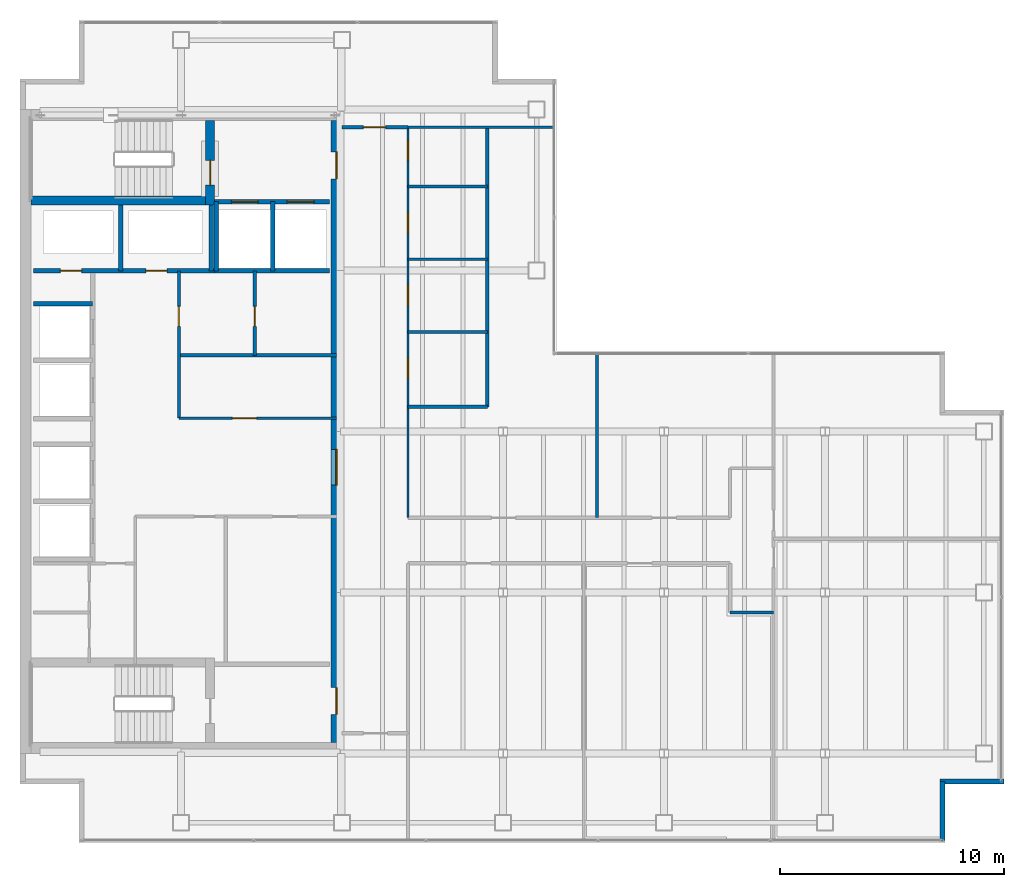
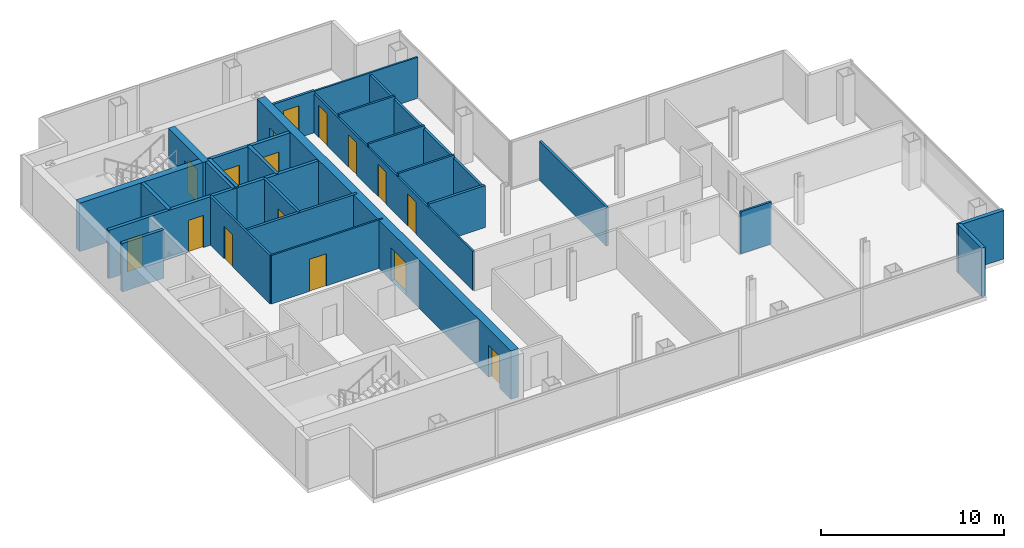
# One storey, part 21 of 23: 27 walls, 16 doors, 16 openings.
"""IFC4 building model written with IfcOpenShell, lengths in metres."""

from ifc_helpers import new_model, si_unit, direction, frame, frame_2d, origin, place, context, subcontext, project, spatial, rectangle, extrude, material, layer, layer_set, type_object, element, fill, save


model = new_model("IFC4")

# Units and contexts
model_context = context("Model", 3, precision=1e-05, world=origin(), true_north=direction((0.0, 1.0)))
body_context = subcontext(model_context, "Body", "Model", "MODEL_VIEW")
ifc_project = project(units=[si_unit("LENGTHUNIT", "METRE"), si_unit("AREAUNIT", "SQUARE_METRE"), si_unit("VOLUMEUNIT", "CUBIC_METRE"), si_unit("PLANEANGLEUNIT", "RADIAN"), si_unit("MASSUNIT", "GRAM", prefix="KILO")], contexts=[model_context])

# Site, building, storey
site_placement = place(None, origin())
site = spatial("IfcSite", under=ifc_project, at=site_placement, CompositionType="ELEMENT")
building_placement = place(site_placement, origin())
building = spatial("IfcBuilding", under=site, at=building_placement, Name="Cobrela Telecom Tower", CompositionType="ELEMENT")
storey_placement = place(building_placement, frame((0.0, 0.0, 208.25)))
storey = spatial("IfcBuildingStorey", under=building, at=storey_placement, Name="L53", CompositionType="ELEMENT", Elevation=208.25)

# Wall, openings, doors
ifc_material_1 = material(Name="Concrete C40/50", Category="concrete")
ifc_layer_1 = layer(ifc_material_1, 0.5)
ifc_layer_set_1 = layer_set([ifc_layer_1], Name="Concrete C40/50")
wall_type_1 = type_object("IfcWallType", Name="WALL-CORE-C40-500", PredefinedType="SHEAR", material=ifc_layer_set_1)
wall_1_placement = place(storey_placement, frame((14.14990234375, 35.5, 0.0), z_axis=(0.0, 0.0, 1.0), x_axis=(0.0, -1.0, 0.0)))
wall_1 = element("IfcWall", 1, at=wall_1_placement, inside=storey, type_object=wall_type_1, Name="L53 East Core Shear Wall", PredefinedType="SHEAR", context=body_context, shape_type="SweptSolid", body=[
    extrude(rectangle(XDim=27.800048828125, YDim=0.5, at=frame_2d((13.89990234375, 0.0))), origin(), (0.0, 0.0, 1.0), 3.239990234375),
])
opening_1_placement = place(wall_1_placement, frame((1.39990234375, 0.0, 0.0)))
opening_1 = element("IfcOpeningElement", 2, at=opening_1_placement, cuts=wall_1, Name="Opening DR-19", PredefinedType="OPENING", context=body_context, shape_type="SweptSolid", body=[
    extrude(rectangle(XDim=1.199951171875, YDim=2.14990234375, at=frame_2d((0.60009765625, 1.074951171875))), frame((0.0, 0.261962890625, 0.0), z_axis=(0.0, -1.0, 0.0), x_axis=(1.0, 0.0, 0.0)), (0.0, 0.0, 1.0), 0.52392578125),
])
opening_2_placement = place(wall_1_placement, frame((25.35009765625, 0.0, 0.0)))
opening_2 = element("IfcOpeningElement", 3, at=opening_2_placement, cuts=wall_1, Name="Opening DR-19", PredefinedType="OPENING", context=body_context, shape_type="SweptSolid", body=[
    extrude(rectangle(XDim=1.199951171875, YDim=2.14990234375, at=frame_2d((0.60009765625, 1.074951171875))), frame((0.0, 0.261962890625, 0.0), z_axis=(0.0, -1.0, 0.0), x_axis=(1.0, 0.0, 0.0)), (0.0, 0.0, 1.0), 0.52392578125),
])
opening_3_placement = place(wall_1_placement, frame((14.699951171875, 0.0, 0.0)))
opening_3 = element("IfcOpeningElement", 4, at=opening_3_placement, cuts=wall_1, Name="Opening DR-51", PredefinedType="OPENING", context=body_context, shape_type="SweptSolid", body=[
    extrude(rectangle(XDim=1.60009765625, YDim=2.199951171875, at=frame_2d((0.800048828125, 1.10009765625))), frame((0.0, 0.261962890625, 0.0), z_axis=(0.0, -1.0, 0.0), x_axis=(1.0, 0.0, 0.0)), (0.0, 0.0, 1.0), 0.52392578125),
])
ifc_material_2 = material(Name="Steel ASTM A36", Category="steel")
door_type_1 = type_object("IfcDoorType", Name="DOOR-FD60-1200", OperationType="SINGLE_SWING_LEFT", PredefinedType="DOOR", material=ifc_material_2)
door_1_placement = place(opening_1_placement, origin())
door_1 = element("IfcDoor", 5, at=door_1_placement, inside=storey, type_object=door_type_1, Name="L53 Door DR-19", OperationType="SINGLE_SWING_LEFT", OverallHeight=2.14990234375, OverallWidth=1.199951171875, PredefinedType="DOOR", context=body_context, shape_type="SweptSolid", body=[
    extrude(rectangle(XDim=1.199951171875, YDim=2.14990234375, at=frame_2d((0.60009765625, 1.074951171875))), frame((0.0, 0.02490234375, 0.0), z_axis=(0.0, -1.0, 0.0), x_axis=(1.0, 0.0, 0.0)), (0.0, 0.0, 1.0), 0.050048828125),
])
fill(opening_1, door_1)
door_2_placement = place(opening_2_placement, origin())
door_2 = element("IfcDoor", 6, at=door_2_placement, inside=storey, type_object=door_type_1, Name="L53 Door DR-19", OperationType="SINGLE_SWING_RIGHT", OverallHeight=2.14990234375, OverallWidth=1.199951171875, PredefinedType="DOOR", context=body_context, shape_type="SweptSolid", body=[
    extrude(rectangle(XDim=1.199951171875, YDim=2.14990234375, at=frame_2d((0.60009765625, 1.074951171875))), frame((0.0, 0.02490234375, 0.0), z_axis=(0.0, -1.0, 0.0), x_axis=(1.0, 0.0, 0.0)), (0.0, 0.0, 1.0), 0.050048828125),
])
fill(opening_2, door_2)
door_type_2 = type_object("IfcDoorType", Name="DOOR-FD60-1600", OperationType="SINGLE_SWING_LEFT", PredefinedType="DOOR", material=ifc_material_2)
door_3_placement = place(opening_3_placement, origin())
door_3 = element("IfcDoor", 7, at=door_3_placement, inside=storey, type_object=door_type_2, Name="L53 Door DR-51", OperationType="DOUBLE_DOOR_SINGLE_SWING", OverallHeight=2.199951171875, OverallWidth=1.60009765625, PredefinedType="DOOR", context=body_context, shape_type="SweptSolid", body=[
    extrude(rectangle(XDim=1.60009765625, YDim=2.199951171875, at=frame_2d((0.800048828125, 1.10009765625))), frame((0.0, 0.02490234375, 0.0), z_axis=(0.0, -1.0, 0.0), x_axis=(1.0, 0.0, 0.0)), (0.0, 0.0, 1.0), 0.050048828125),
])
fill(opening_3, door_3)

# Walls
ifc_layer_2 = layer(ifc_material_1, 0.239990234375)
ifc_layer_set_2 = layer_set([ifc_layer_2], Name="Concrete C40/50")
wall_type_2 = type_object("IfcWallType", Name="WALL-EXT-300", PredefinedType="STANDARD", material=ifc_layer_set_2)
wall_2_placement = place(storey_placement, frame((44.0, 5.949951171875, 0.0), z_axis=(0.0, 0.0, 1.0), x_axis=(-1.0, 0.0, 0.0)))
element("IfcWall", 8, at=wall_2_placement, inside=storey, type_object=wall_type_2, Name="L53 Insulated Facade Wall 15", PredefinedType="STANDARD", context=body_context, shape_type="SweptSolid", body=[
    extrude(rectangle(XDim=2.8701171875, YDim=0.239990234375, at=frame_2d((1.43505859375, 0.0))), origin(), (0.0, 0.0, 1.0), 3.239990234375),
])
wall_3_placement = place(storey_placement, frame((41.25, 5.949951171875, 0.0), z_axis=(0.0, 0.0, 1.0), x_axis=(0.0, -1.0, 0.0)))
element("IfcWall", 9, at=wall_3_placement, inside=storey, type_object=wall_type_2, Name="L53 Insulated Facade Wall 16", PredefinedType="STANDARD", context=body_context, shape_type="SweptSolid", body=[
    extrude(rectangle(XDim=2.6298828125, YDim=0.239990234375, at=frame_2d((1.31494140625, 0.0))), origin(), (0.0, 0.0, 1.0), 3.239990234375),
])

# Wall, opening, door
ifc_material_3 = material(Name="Fire-Rated Gypsum Plasterboard")
ifc_layer_3 = layer(ifc_material_3, 0.110107421875)
ifc_layer_set_3 = layer_set([ifc_layer_3], Name="Fire-Rated Gypsum Plasterboard")
wall_type_3 = type_object("IfcWallType", Name="WALL-PART-110", PredefinedType="PARTITIONING", material=ifc_layer_set_3)
wall_4_placement = place(storey_placement, frame((7.10009765625, 22.199951171875, 0.0), z_axis=(0.0, 0.0, 1.0), x_axis=(1.0, 0.0, 0.0)))
wall_4 = element("IfcWall", 10, at=wall_4_placement, inside=storey, type_object=wall_type_3, Name="L53 Interior Partition CW-RECL-S", PredefinedType="PARTITIONING", context=body_context, shape_type="SweptSolid", body=[
    extrude(rectangle(XDim=7.0498046875, YDim=0.110107421875, at=frame_2d((3.52490234375, 0.0))), origin(), (0.0, 0.0, 1.0), 3.239990234375),
])
opening_4_placement = place(wall_4_placement, frame((2.39990234375, 0.0, 0.0)))
opening_4 = element("IfcOpeningElement", 11, at=opening_4_placement, cuts=wall_4, Name="Opening DR-63", PredefinedType="OPENING", context=body_context, shape_type="SweptSolid", body=[
    extrude(rectangle(XDim=1.080078125, YDim=2.14990234375, at=frame_2d((0.5400390625, 1.074951171875))), frame((0.0, 0.06689453125, 0.0), z_axis=(0.0, -1.0, 0.0), x_axis=(1.0, 0.0, 0.0)), (0.0, 0.0, 1.0), 0.134033203125),
])
ifc_material_4 = material(Name="Solid Engineered Oak Timber", Category="wood")
door_type_3 = type_object("IfcDoorType", Name="DOOR-INT-1080", OperationType="SINGLE_SWING_LEFT", PredefinedType="DOOR", material=ifc_material_4)
door_4_placement = place(opening_4_placement, origin())
door_4 = element("IfcDoor", 12, at=door_4_placement, inside=storey, type_object=door_type_3, Name="L53 Door DR-63", OperationType="SINGLE_SWING_LEFT", OverallHeight=2.14990234375, OverallWidth=1.080078125, PredefinedType="DOOR", context=body_context, shape_type="SweptSolid", body=[
    extrude(rectangle(XDim=1.080078125, YDim=2.14990234375, at=frame_2d((0.5400390625, 1.074951171875))), frame((0.0, 0.02490234375, 0.0), z_axis=(0.0, -1.0, 0.0), x_axis=(1.0, 0.0, 0.0)), (0.0, 0.0, 1.0), 0.050048828125),
])
fill(opening_4, door_4)

# Wall, openings, doors
wall_5_placement = place(storey_placement, frame((17.35009765625, 17.75, 0.0), z_axis=(0.0, 0.0, 1.0), x_axis=(0.0, 1.0, 0.0)))
wall_5 = element("IfcWall", 13, at=wall_5_placement, inside=storey, type_object=wall_type_3, Name="L53 Interior Partition W-C-E2", PredefinedType="PARTITIONING", context=body_context, shape_type="SweptSolid", body=[
    extrude(rectangle(XDim=17.449951171875, YDim=0.110107421875, at=frame_2d((8.72509765625, 0.0))), origin(), (0.0, 0.0, 1.0), 2.613037109375),
])
opening_5_placement = place(wall_5_placement, frame((6.22998046875, 0.0, 0.0)))
opening_5 = element("IfcOpeningElement", 14, at=opening_5_placement, cuts=wall_5, Name="Opening DR-41", PredefinedType="OPENING", context=body_context, shape_type="SweptSolid", body=[
    extrude(rectangle(XDim=0.89990234375, YDim=2.14990234375, at=frame_2d((0.449951171875, 1.074951171875))), frame((0.0, 0.06689453125, 0.0), z_axis=(0.0, -1.0, 0.0), x_axis=(1.0, 0.0, 0.0)), (0.0, 0.0, 1.0), 0.134033203125),
])
opening_6_placement = place(wall_5_placement, frame((9.47998046875, 0.0, 0.0)))
opening_6 = element("IfcOpeningElement", 15, at=opening_6_placement, cuts=wall_5, Name="Opening DR-41", PredefinedType="OPENING", context=body_context, shape_type="SweptSolid", body=[
    extrude(rectangle(XDim=0.89990234375, YDim=2.14990234375, at=frame_2d((0.449951171875, 1.074951171875))), frame((0.0, 0.06689453125, 0.0), z_axis=(0.0, -1.0, 0.0), x_axis=(1.0, 0.0, 0.0)), (0.0, 0.0, 1.0), 0.134033203125),
])
opening_7_placement = place(wall_5_placement, frame((12.72998046875, 0.0, 0.0)))
opening_7 = element("IfcOpeningElement", 16, at=opening_7_placement, cuts=wall_5, Name="Opening DR-41", PredefinedType="OPENING", context=body_context, shape_type="SweptSolid", body=[
    extrude(rectangle(XDim=0.89990234375, YDim=2.14990234375, at=frame_2d((0.449951171875, 1.074951171875))), frame((0.0, 0.06689453125, 0.0), z_axis=(0.0, -1.0, 0.0), x_axis=(1.0, 0.0, 0.0)), (0.0, 0.0, 1.0), 0.134033203125),
])
opening_8_placement = place(wall_5_placement, frame((15.969970703125, 0.0, 0.0)))
opening_8 = element("IfcOpeningElement", 17, at=opening_8_placement, cuts=wall_5, Name="Opening DR-41", PredefinedType="OPENING", context=body_context, shape_type="SweptSolid", body=[
    extrude(rectangle(XDim=0.89990234375, YDim=2.14990234375, at=frame_2d((0.449951171875, 1.074951171875))), frame((0.0, 0.06689453125, 0.0), z_axis=(0.0, -1.0, 0.0), x_axis=(1.0, 0.0, 0.0)), (0.0, 0.0, 1.0), 0.134033203125),
])
door_type_4 = type_object("IfcDoorType", Name="DOOR-INT-900", OperationType="SINGLE_SWING_LEFT", PredefinedType="DOOR", material=ifc_material_4)
door_5_placement = place(opening_5_placement, origin())
door_5 = element("IfcDoor", 18, at=door_5_placement, inside=storey, type_object=door_type_4, Name="L53 Door DR-41", OperationType="SINGLE_SWING_LEFT", OverallHeight=2.14990234375, OverallWidth=0.89990234375, PredefinedType="DOOR", context=body_context, shape_type="SweptSolid", body=[
    extrude(rectangle(XDim=0.89990234375, YDim=2.14990234375, at=frame_2d((0.449951171875, 1.074951171875))), frame((0.0, 0.02490234375, 0.0), z_axis=(0.0, -1.0, 0.0), x_axis=(1.0, 0.0, 0.0)), (0.0, 0.0, 1.0), 0.050048828125),
])
fill(opening_5, door_5)
door_6_placement = place(opening_6_placement, origin())
door_6 = element("IfcDoor", 19, at=door_6_placement, inside=storey, type_object=door_type_4, Name="L53 Door DR-41", OperationType="SINGLE_SWING_RIGHT", OverallHeight=2.14990234375, OverallWidth=0.89990234375, PredefinedType="DOOR", context=body_context, shape_type="SweptSolid", body=[
    extrude(rectangle(XDim=0.89990234375, YDim=2.14990234375, at=frame_2d((0.449951171875, 1.074951171875))), frame((0.0, 0.02490234375, 0.0), z_axis=(0.0, -1.0, 0.0), x_axis=(1.0, 0.0, 0.0)), (0.0, 0.0, 1.0), 0.050048828125),
])
fill(opening_6, door_6)
door_7_placement = place(opening_7_placement, origin())
door_7 = element("IfcDoor", 20, at=door_7_placement, inside=storey, type_object=door_type_4, Name="L53 Door DR-41", OperationType="SINGLE_SWING_LEFT", OverallHeight=2.14990234375, OverallWidth=0.89990234375, PredefinedType="DOOR", context=body_context, shape_type="SweptSolid", body=[
    extrude(rectangle(XDim=0.89990234375, YDim=2.14990234375, at=frame_2d((0.449951171875, 1.074951171875))), frame((0.0, 0.02490234375, 0.0), z_axis=(0.0, -1.0, 0.0), x_axis=(1.0, 0.0, 0.0)), (0.0, 0.0, 1.0), 0.050048828125),
])
fill(opening_7, door_7)
door_8_placement = place(opening_8_placement, origin())
door_8 = element("IfcDoor", 21, at=door_8_placement, inside=storey, type_object=door_type_4, Name="L53 Door DR-41", OperationType="SINGLE_SWING_RIGHT", OverallHeight=2.14990234375, OverallWidth=0.89990234375, PredefinedType="DOOR", context=body_context, shape_type="SweptSolid", body=[
    extrude(rectangle(XDim=0.89990234375, YDim=2.14990234375, at=frame_2d((0.449951171875, 1.074951171875))), frame((0.0, 0.02490234375, 0.0), z_axis=(0.0, -1.0, 0.0), x_axis=(1.0, 0.0, 0.0)), (0.0, 0.0, 1.0), 0.050048828125),
])
fill(opening_8, door_8)

# Walls
wall_6_placement = place(storey_placement, frame((17.35009765625, 35.199951171875, 0.0), z_axis=(0.0, 0.0, 1.0), x_axis=(1.0, 0.0, 0.0)))
element("IfcWall", 22, at=wall_6_placement, inside=storey, type_object=wall_type_3, Name="L53 Interior Partition W-NW-S", PredefinedType="PARTITIONING", context=body_context, shape_type="SweptSolid", body=[
    extrude(rectangle(XDim=6.52978515625, YDim=0.110107421875, at=frame_2d((3.264892578125, 0.0))), origin(), (0.0, 0.0, 1.0), 2.758056640625),
])
ifc_layer_4 = layer(ifc_material_3, 0.125)
ifc_layer_set_4 = layer_set([ifc_layer_4], Name="Fire-Rated Gypsum Plasterboard")
wall_type_4 = type_object("IfcWallType", Name="WALL-PART-125", PredefinedType="PARTITIONING", material=ifc_layer_set_4)
for number, where, z_axis, x_axis, name in (
    (23, (17.35009765625, 26.050048828125, 0.0), (0.0, 0.0, 1.0), (1.0, 0.0, 0.0), "L53 Interior Partition W-WCD-1"),
    (24, (17.35009765625, 29.300048828125, 0.0), (0.0, 0.0, 1.0), (1.0, 0.0, 0.0), "L53 Interior Partition W-WCD-2"),
    (25, (17.35009765625, 32.550048828125, 0.0), (0.0, 0.0, 1.0), (1.0, 0.0, 0.0), "L53 Interior Partition W-WCD-3"),
):
    element("IfcWall", number, at=place(storey_placement, frame(where, z_axis=z_axis, x_axis=x_axis)), inside=storey, type_object=wall_type_4, Name=name, PredefinedType="PARTITIONING", context=body_context, shape_type="SweptSolid", body=[
        extrude(rectangle(XDim=3.5498046875, YDim=0.125, at=frame_2d((1.77490234375, 0.0))), origin(), (0.0, 0.0, 1.0), 2.80810546875),
    ])

# Wall, opening, door
ifc_layer_5 = layer(ifc_material_3, 0.135009765625)
ifc_layer_set_5 = layer_set([ifc_layer_5], Name="Fire-Rated Gypsum Plasterboard")
wall_type_5 = type_object("IfcWallType", Name="WALL-PART-135", PredefinedType="PARTITIONING", material=ifc_layer_set_5)
wall_7_placement = place(storey_placement, frame((7.10009765625, 22.199951171875, 0.0), z_axis=(0.0, 0.0, 1.0), x_axis=(0.0, 1.0, 0.0)))
wall_7 = element("IfcWall", 26, at=wall_7_placement, inside=storey, type_object=wall_type_5, Name="L53 Interior Partition CW-RECL-W", PredefinedType="PARTITIONING", context=body_context, shape_type="SweptSolid", body=[
    extrude(rectangle(XDim=6.580078125, YDim=0.135009765625, at=frame_2d((3.2900390625, 0.0))), origin(), (0.0, 0.0, 1.0), 3.239990234375),
])
opening_9_placement = place(wall_7_placement, frame((4.10009765625, 0.0, 0.0)))
opening_9 = element("IfcOpeningElement", 27, at=opening_9_placement, cuts=wall_7, Name="Opening DR-41", PredefinedType="OPENING", context=body_context, shape_type="SweptSolid", body=[
    extrude(rectangle(XDim=0.89990234375, YDim=2.14990234375, at=frame_2d((0.449951171875, 1.074951171875))), frame((0.0, 0.07958984375, 0.0), z_axis=(0.0, -1.0, 0.0), x_axis=(1.0, 0.0, 0.0)), (0.0, 0.0, 1.0), 0.158935546875),
])
door_9_placement = place(opening_9_placement, origin())
door_9 = element("IfcDoor", 28, at=door_9_placement, inside=storey, type_object=door_type_4, Name="L53 Door DR-41", OperationType="SINGLE_SWING_RIGHT", OverallHeight=2.14990234375, OverallWidth=0.89990234375, PredefinedType="DOOR", context=body_context, shape_type="SweptSolid", body=[
    extrude(rectangle(XDim=0.89990234375, YDim=2.14990234375, at=frame_2d((0.449951171875, 1.074951171875))), frame((0.0, 0.02490234375, 0.0), z_axis=(0.0, -1.0, 0.0), x_axis=(1.0, 0.0, 0.0)), (0.0, 0.0, 1.0), 0.050048828125),
])
fill(opening_9, door_9)

# Wall
wall_8_placement = place(storey_placement, frame((31.75, 13.5, 0.0), z_axis=(0.0, 0.0, 1.0), x_axis=(1.0, 0.0, 0.0)))
element("IfcWall", 29, at=wall_8_placement, inside=storey, type_object=wall_type_5, Name="L53 Interior Partition W-CT-S", PredefinedType="PARTITIONING", context=body_context, shape_type="SweptSolid", body=[
    extrude(rectangle(XDim=1.949951171875, YDim=0.135009765625, at=frame_2d((0.97509765625, 0.0))), origin(), (0.0, 0.0, 1.0), 2.80810546875),
])

# Wall, opening, door
ifc_layer_6 = layer(ifc_material_3, 0.14990234375)
ifc_layer_set_6 = layer_set([ifc_layer_6], Name="Fire-Rated Gypsum Plasterboard")
wall_type_6 = type_object("IfcWallType", Name="WALL-PART-150", PredefinedType="PARTITIONING", material=ifc_layer_set_6)
wall_9_placement = place(storey_placement, frame((10.5, 25.0, 0.0), z_axis=(0.0, 0.0, 1.0), x_axis=(0.0, 1.0, 0.0)))
wall_9 = element("IfcWall", 30, at=wall_9_placement, inside=storey, type_object=wall_type_6, Name="L53 Interior Partition CW-RECL-VN", PredefinedType="PARTITIONING", context=body_context, shape_type="SweptSolid", body=[
    extrude(rectangle(XDim=3.780029296875, YDim=0.14990234375, at=frame_2d((1.89013671875, 0.0))), origin(), (0.0, 0.0, 1.0), 3.239990234375),
])
opening_10_placement = place(wall_9_placement, frame((1.300048828125, 0.0, 0.0)))
opening_10 = element("IfcOpeningElement", 31, at=opening_10_placement, cuts=wall_9, Name="Opening DR-41", PredefinedType="OPENING", context=body_context, shape_type="SweptSolid", body=[
    extrude(rectangle(XDim=0.89990234375, YDim=2.14990234375, at=frame_2d((0.449951171875, 1.074951171875))), frame((0.0, 0.0869140625, 0.0), z_axis=(0.0, -1.0, 0.0), x_axis=(1.0, 0.0, 0.0)), (0.0, 0.0, 1.0), 0.173828125),
])
door_10_placement = place(opening_10_placement, origin())
door_10 = element("IfcDoor", 32, at=door_10_placement, inside=storey, type_object=door_type_4, Name="L53 Door DR-41", OperationType="SINGLE_SWING_LEFT", OverallHeight=2.14990234375, OverallWidth=0.89990234375, PredefinedType="DOOR", context=body_context, shape_type="SweptSolid", body=[
    extrude(rectangle(XDim=0.89990234375, YDim=2.14990234375, at=frame_2d((0.449951171875, 1.074951171875))), frame((0.0, 0.02490234375, 0.0), z_axis=(0.0, -1.0, 0.0), x_axis=(1.0, 0.0, 0.0)), (0.0, 0.0, 1.0), 0.050048828125),
])
fill(opening_10, door_10)

wall_10_placement = place(storey_placement, frame((14.39990234375, 35.199951171875, 0.0), z_axis=(0.0, 0.0, 1.0), x_axis=(1.0, 0.0, 0.0)))
wall_10 = element("IfcWall", 33, at=wall_10_placement, inside=storey, type_object=wall_type_6, Name="L53 Interior Partition W-C-N0", PredefinedType="PARTITIONING", context=body_context, shape_type="SweptSolid", body=[
    extrude(rectangle(XDim=2.9501953125, YDim=0.14990234375, at=frame_2d((1.47509765625, 0.0))), origin(), (0.0, 0.0, 1.0), 2.80810546875),
])
opening_11_placement = place(wall_10_placement, frame((0.949951171875, 0.0, 0.0)))
opening_11 = element("IfcOpeningElement", 34, at=opening_11_placement, cuts=wall_10, Name="Opening DR-31", PredefinedType="OPENING", context=body_context, shape_type="SweptSolid", body=[
    extrude(rectangle(XDim=1.0, YDim=2.14990234375, at=frame_2d((0.5, 1.074951171875))), frame((0.0, 0.0869140625, 0.0), z_axis=(0.0, -1.0, 0.0), x_axis=(1.0, 0.0, 0.0)), (0.0, 0.0, 1.0), 0.173828125),
])
door_type_5 = type_object("IfcDoorType", Name="DOOR-INT-1000", OperationType="SINGLE_SWING_LEFT", PredefinedType="DOOR", material=ifc_material_4)
door_11_placement = place(opening_11_placement, origin())
door_11 = element("IfcDoor", 35, at=door_11_placement, inside=storey, type_object=door_type_5, Name="L53 Door DR-31", OperationType="SINGLE_SWING_LEFT", OverallHeight=2.14990234375, OverallWidth=1.0, PredefinedType="DOOR", context=body_context, shape_type="SweptSolid", body=[
    extrude(rectangle(XDim=1.0, YDim=2.14990234375, at=frame_2d((0.5, 1.074951171875))), frame((0.0, 0.02490234375, 0.0), z_axis=(0.0, -1.0, 0.0), x_axis=(1.0, 0.0, 0.0)), (0.0, 0.0, 1.0), 0.050048828125),
])
fill(opening_11, door_11)

# Walls
wall_11_placement = place(storey_placement, frame((20.89990234375, 22.699951171875, 0.0), z_axis=(0.0, 0.0, 1.0), x_axis=(0.0, 1.0, 0.0)))
element("IfcWall", 36, at=wall_11_placement, inside=storey, type_object=wall_type_6, Name="L53 Interior Partition W-WC-E", PredefinedType="PARTITIONING", context=body_context, shape_type="SweptSolid", body=[
    extrude(rectangle(XDim=12.5, YDim=0.14990234375, at=frame_2d((6.25, 0.0))), origin(), (0.0, 0.0, 1.0), 2.613037109375),
])
wall_12_placement = place(storey_placement, frame((25.800048828125, 17.75, 0.0), z_axis=(0.0, 0.0, 1.0), x_axis=(0.0, 1.0, 0.0)))
element("IfcWall", 37, at=wall_12_placement, inside=storey, type_object=wall_type_6, Name="L53 Interior Partition W-NV-1", PredefinedType="PARTITIONING", context=body_context, shape_type="SweptSolid", body=[
    extrude(rectangle(XDim=7.300048828125, YDim=0.14990234375, at=frame_2d((3.64990234375, 0.0))), origin(), (0.0, 0.0, 1.0), 2.613037109375),
])
ifc_layer_7 = layer(ifc_material_3, 0.159912109375)
ifc_layer_set_7 = layer_set([ifc_layer_7], Name="Fire-Rated Gypsum Plasterboard")
wall_type_7 = type_object("IfcWallType", Name="WALL-PART-160", PredefinedType="PARTITIONING", material=ifc_layer_set_7)
wall_13_placement = place(storey_placement, frame((7.10009765625, 25.0, 0.0), z_axis=(0.0, 0.0, 1.0), x_axis=(1.0, 0.0, 0.0)))
element("IfcWall", 38, at=wall_13_placement, inside=storey, type_object=wall_type_7, Name="L53 Interior Partition CW-RECL-H", PredefinedType="PARTITIONING", context=body_context, shape_type="SweptSolid", body=[
    extrude(rectangle(XDim=7.0498046875, YDim=0.159912109375, at=frame_2d((3.52490234375, 0.0))), origin(), (0.0, 0.0, 1.0), 3.239990234375),
])
wall_14_placement = place(storey_placement, frame((17.35009765625, 22.699951171875, 0.0), z_axis=(0.0, 0.0, 1.0), x_axis=(1.0, 0.0, 0.0)))
element("IfcWall", 39, at=wall_14_placement, inside=storey, type_object=wall_type_7, Name="L53 Interior Partition W-WC-S", PredefinedType="PARTITIONING", context=body_context, shape_type="SweptSolid", body=[
    extrude(rectangle(XDim=3.5498046875, YDim=0.159912109375, at=frame_2d((1.77490234375, 0.0))), origin(), (0.0, 0.0, 1.0), 2.80810546875),
])

# Wall, openings, doors
ifc_layer_8 = layer(ifc_material_3, 0.199951171875)
ifc_layer_set_8 = layer_set([ifc_layer_8], Name="Fire-Rated Gypsum Plasterboard")
wall_type_8 = type_object("IfcWallType", Name="WALL-SHAFT-200", PredefinedType="PARTITIONING", material=ifc_layer_set_8)
wall_15_placement = place(storey_placement, frame((8.699951171875, 31.8798828125, 0.0), z_axis=(0.0, 0.0, 1.0), x_axis=(1.0, 0.0, 0.0)))
wall_15 = element("IfcWall", 40, at=wall_15_placement, inside=storey, type_object=wall_type_8, Name="L53 Shaft Enclosure CW-FFL-S", PredefinedType="PARTITIONING", context=body_context, shape_type="SweptSolid", body=[
    extrude(rectangle(XDim=5.150146484375, YDim=0.199951171875, at=frame_2d((2.5751953125, 0.0))), origin(), (0.0, 0.0, 1.0), 3.239990234375),
])
opening_12_placement = place(wall_15_placement, frame((0.75, 0.0, 0.0)))
opening_12 = element("IfcOpeningElement", 41, at=opening_12_placement, cuts=wall_15, Name="Opening LD-2", PredefinedType="OPENING", context=body_context, shape_type="SweptSolid", body=[
    extrude(rectangle(XDim=1.199951171875, YDim=2.199951171875, at=frame_2d((0.60009765625, 1.10009765625))), frame((0.0, 0.11181640625, 0.0), z_axis=(0.0, -1.0, 0.0), x_axis=(1.0, 0.0, 0.0)), (0.0, 0.0, 1.0), 0.223876953125),
])
opening_13_placement = place(wall_15_placement, frame((3.25, 0.0, 0.0)))
opening_13 = element("IfcOpeningElement", 42, at=opening_13_placement, cuts=wall_15, Name="Opening LD-2", PredefinedType="OPENING", context=body_context, shape_type="SweptSolid", body=[
    extrude(rectangle(XDim=1.199951171875, YDim=2.199951171875, at=frame_2d((0.60009765625, 1.10009765625))), frame((0.0, 0.11181640625, 0.0), z_axis=(0.0, -1.0, 0.0), x_axis=(1.0, 0.0, 0.0)), (0.0, 0.0, 1.0), 0.223876953125),
])
door_type_6 = type_object("IfcDoorType", Name="DOOR-LD-FFL", OperationType="SINGLE_SWING_LEFT", PredefinedType="DOOR", material=ifc_material_2)
door_12_placement = place(opening_12_placement, origin())
door_12 = element("IfcDoor", 43, at=door_12_placement, inside=storey, type_object=door_type_6, Name="L53 Lift Landing Door LD-2", OperationType="DOUBLE_DOOR_SLIDING", OverallHeight=2.199951171875, OverallWidth=1.199951171875, PredefinedType="DOOR", context=body_context, shape_type="SweptSolid", body=[
    extrude(rectangle(XDim=1.199951171875, YDim=2.199951171875, at=frame_2d((0.60009765625, 1.10009765625))), frame((0.0, 0.02490234375, 0.0), z_axis=(0.0, -1.0, 0.0), x_axis=(1.0, 0.0, 0.0)), (0.0, 0.0, 1.0), 0.050048828125),
])
fill(opening_12, door_12)
door_13_placement = place(opening_13_placement, origin())
door_13 = element("IfcDoor", 44, at=door_13_placement, inside=storey, type_object=door_type_6, Name="L53 Lift Landing Door LD-2", OperationType="DOUBLE_DOOR_SLIDING", OverallHeight=2.199951171875, OverallWidth=1.199951171875, PredefinedType="DOOR", context=body_context, shape_type="SweptSolid", body=[
    extrude(rectangle(XDim=1.199951171875, YDim=2.199951171875, at=frame_2d((0.60009765625, 1.10009765625))), frame((0.0, 0.02490234375, 0.0), z_axis=(0.0, -1.0, 0.0), x_axis=(1.0, 0.0, 0.0)), (0.0, 0.0, 1.0), 0.050048828125),
])
fill(opening_13, door_13)

# Walls
wall_16_placement = place(storey_placement, frame((8.699951171875, 28.780029296875, 0.0), z_axis=(0.0, 0.0, 1.0), x_axis=(1.0, 0.0, 0.0)))
element("IfcWall", 45, at=wall_16_placement, inside=storey, type_object=wall_type_8, Name="L53 Shaft Enclosure CW-FFL-S2", PredefinedType="PARTITIONING", context=body_context, shape_type="SweptSolid", body=[
    extrude(rectangle(XDim=5.150146484375, YDim=0.199951171875, at=frame_2d((2.5751953125, 0.0))), origin(), (0.0, 0.0, 1.0), 3.239990234375),
])
for number, where, z_axis, x_axis, name in (
    (46, (8.780029296875, 28.780029296875, 0.0), (0.0, 0.0, 1.0), (0.0, 1.0, 0.0), "L53 Shaft Enclosure CW-FFL-W"),
    (47, (11.300048828125, 28.780029296875, 0.0), (0.0, 0.0, 1.0), (0.0, 1.0, 0.0), "L53 Shaft Enclosure CW-FFL-M"),
):
    element("IfcWall", number, at=place(storey_placement, frame(where, z_axis=z_axis, x_axis=x_axis)), inside=storey, type_object=wall_type_8, Name=name, PredefinedType="PARTITIONING", context=body_context, shape_type="SweptSolid", body=[
        extrude(rectangle(XDim=3.099853515625, YDim=0.199951171875, at=frame_2d((1.5498046875, 0.0))), origin(), (0.0, 0.0, 1.0), 3.239990234375),
    ])

# Wall, openings, doors
wall_17_placement = place(storey_placement, frame((0.60009765625, 28.780029296875, 0.0), z_axis=(0.0, 0.0, 1.0), x_axis=(1.0, 0.0, 0.0)))
wall_17 = element("IfcWall", 48, at=wall_17_placement, inside=storey, type_object=wall_type_8, Name="L53 Shaft Enclosure CW-RIS-S", PredefinedType="PARTITIONING", context=body_context, shape_type="SweptSolid", body=[
    extrude(rectangle(XDim=8.179931640625, YDim=0.199951171875, at=frame_2d((4.08984375, 0.0))), origin(), (0.0, 0.0, 1.0), 3.239990234375),
])
opening_14_placement = place(wall_17_placement, frame((1.2099609375, 0.0, 0.0)))
opening_14 = element("IfcOpeningElement", 49, at=opening_14_placement, cuts=wall_17, Name="Opening DR-65", PredefinedType="OPENING", context=body_context, shape_type="SweptSolid", body=[
    extrude(rectangle(XDim=0.949951171875, YDim=2.14990234375, at=frame_2d((0.47509765625, 1.074951171875))), frame((0.0, 0.11181640625, 0.0), z_axis=(0.0, -1.0, 0.0), x_axis=(1.0, 0.0, 0.0)), (0.0, 0.0, 1.0), 0.223876953125),
])
opening_15_placement = place(wall_17_placement, frame((5.030029296875, 0.0, 0.0)))
opening_15 = element("IfcOpeningElement", 50, at=opening_15_placement, cuts=wall_17, Name="Opening DR-65", PredefinedType="OPENING", context=body_context, shape_type="SweptSolid", body=[
    extrude(rectangle(XDim=0.949951171875, YDim=2.14990234375, at=frame_2d((0.47509765625, 1.074951171875))), frame((0.0, 0.11181640625, 0.0), z_axis=(0.0, -1.0, 0.0), x_axis=(1.0, 0.0, 0.0)), (0.0, 0.0, 1.0), 0.223876953125),
])
door_type_7 = type_object("IfcDoorType", Name="DOOR-FD60-950", OperationType="SINGLE_SWING_LEFT", PredefinedType="DOOR", material=ifc_material_2)
door_14_placement = place(opening_14_placement, origin())
door_14 = element("IfcDoor", 51, at=door_14_placement, inside=storey, type_object=door_type_7, Name="L53 Door DR-65", OperationType="SINGLE_SWING_LEFT", OverallHeight=2.14990234375, OverallWidth=0.949951171875, PredefinedType="DOOR", context=body_context, shape_type="SweptSolid", body=[
    extrude(rectangle(XDim=0.949951171875, YDim=2.14990234375, at=frame_2d((0.47509765625, 1.074951171875))), frame((0.0, 0.02490234375, 0.0), z_axis=(0.0, -1.0, 0.0), x_axis=(1.0, 0.0, 0.0)), (0.0, 0.0, 1.0), 0.050048828125),
])
fill(opening_14, door_14)
door_15_placement = place(opening_15_placement, origin())
door_15 = element("IfcDoor", 52, at=door_15_placement, inside=storey, type_object=door_type_7, Name="L53 Door DR-65", OperationType="SINGLE_SWING_RIGHT", OverallHeight=2.14990234375, OverallWidth=0.949951171875, PredefinedType="DOOR", context=body_context, shape_type="SweptSolid", body=[
    extrude(rectangle(XDim=0.949951171875, YDim=2.14990234375, at=frame_2d((0.47509765625, 1.074951171875))), frame((0.0, 0.02490234375, 0.0), z_axis=(0.0, -1.0, 0.0), x_axis=(1.0, 0.0, 0.0)), (0.0, 0.0, 1.0), 0.050048828125),
])
fill(opening_15, door_15)

# Walls
for number, where, z_axis, x_axis, name in (
    (53, (4.5, 28.780029296875, 0.0), (0.0, 0.0, 1.0), (0.0, 1.0, 0.0), "L53 Shaft Enclosure CW-RIS-M"),
    (54, (8.550048828125, 28.780029296875, 0.0), (0.0, 0.0, 1.0), (0.0, 1.0, 0.0), "L53 Shaft Enclosure CW-RIS-E"),
):
    element("IfcWall", number, at=place(storey_placement, frame(where, z_axis=z_axis, x_axis=x_axis)), inside=storey, type_object=wall_type_8, Name=name, PredefinedType="PARTITIONING", context=body_context, shape_type="SweptSolid", body=[
        extrude(rectangle(XDim=2.93994140625, YDim=0.199951171875, at=frame_2d((1.469970703125, 0.0))), origin(), (0.0, 0.0, 1.0), 3.239990234375),
    ])
wall_18_placement = place(storey_placement, frame((0.60009765625, 27.320068359375, 0.0), z_axis=(0.0, 0.0, 1.0), x_axis=(1.0, 0.0, 0.0)))
element("IfcWall", 55, at=wall_18_placement, inside=storey, type_object=wall_type_8, Name="L53 Shaft Enclosure CW-PLH-TOP", PredefinedType="PARTITIONING", context=body_context, shape_type="SweptSolid", body=[
    extrude(rectangle(XDim=2.64990234375, YDim=0.199951171875, at=frame_2d((1.324951171875, 0.0))), origin(), (0.0, 0.0, 1.0), 3.239990234375),
])
ifc_layer_9 = layer(ifc_material_1, 0.39990234375)
ifc_layer_set_9 = layer_set([ifc_layer_9], Name="Concrete C40/50")
wall_type_9 = type_object("IfcWallType", Name="WALL-SHAFT-C40-400", PredefinedType="SHEAR", material=ifc_layer_set_9)
wall_19_placement = place(storey_placement, frame((0.5, 31.919921875, 0.0), z_axis=(0.0, 0.0, 1.0), x_axis=(1.0, 0.0, 0.0)))
element("IfcWall", 56, at=wall_19_placement, inside=storey, type_object=wall_type_9, Name="L53 North Stair Shear Wall", PredefinedType="SHEAR", context=body_context, shape_type="SweptSolid", body=[
    extrude(rectangle(XDim=7.800048828125, YDim=0.39990234375, at=frame_2d((3.89990234375, 0.0))), origin(), (0.0, 0.0, 1.0), 3.239990234375),
])

# Wall, opening, door
wall_20_placement = place(storey_placement, frame((8.5, 31.719970703125, 0.0), z_axis=(0.0, 0.0, 1.0), x_axis=(0.0, 1.0, 0.0)))
wall_20 = element("IfcWall", 57, at=wall_20_placement, inside=storey, type_object=wall_type_9, Name="L53 North Stair Lobby Shear Wall", PredefinedType="SHEAR", context=body_context, shape_type="SweptSolid", body=[
    extrude(rectangle(XDim=3.780029296875, YDim=0.39990234375, at=frame_2d((1.89013671875, 0.0))), origin(), (0.0, 0.0, 1.0), 3.239990234375),
])
opening_16_placement = place(wall_20_placement, frame((0.89990234375, 0.0, 0.0)))
opening_16 = element("IfcOpeningElement", 58, at=opening_16_placement, cuts=wall_20, Name="Opening DR-59", PredefinedType="OPENING", context=body_context, shape_type="SweptSolid", body=[
    extrude(rectangle(XDim=1.10009765625, YDim=2.14990234375, at=frame_2d((0.550048828125, 1.074951171875))), frame((0.0, 0.2119140625, 0.0), z_axis=(0.0, -1.0, 0.0), x_axis=(1.0, 0.0, 0.0)), (0.0, 0.0, 1.0), 0.423828125),
])
door_type_8 = type_object("IfcDoorType", Name="DOOR-FD60-1100", OperationType="SINGLE_SWING_LEFT", PredefinedType="DOOR", material=ifc_material_2)
door_16_placement = place(opening_16_placement, origin())
door_16 = element("IfcDoor", 59, at=door_16_placement, inside=storey, type_object=door_type_8, Name="L53 Door DR-59", OperationType="SINGLE_SWING_RIGHT", OverallHeight=2.14990234375, OverallWidth=1.10009765625, PredefinedType="DOOR", context=body_context, shape_type="SweptSolid", body=[
    extrude(rectangle(XDim=1.10009765625, YDim=2.14990234375, at=frame_2d((0.550048828125, 1.074951171875))), frame((0.0, 0.02490234375, 0.0), z_axis=(0.0, -1.0, 0.0), x_axis=(1.0, 0.0, 0.0)), (0.0, 0.0, 1.0), 0.050048828125),
])
fill(opening_16, door_16)

save(model, "model.ifc")
